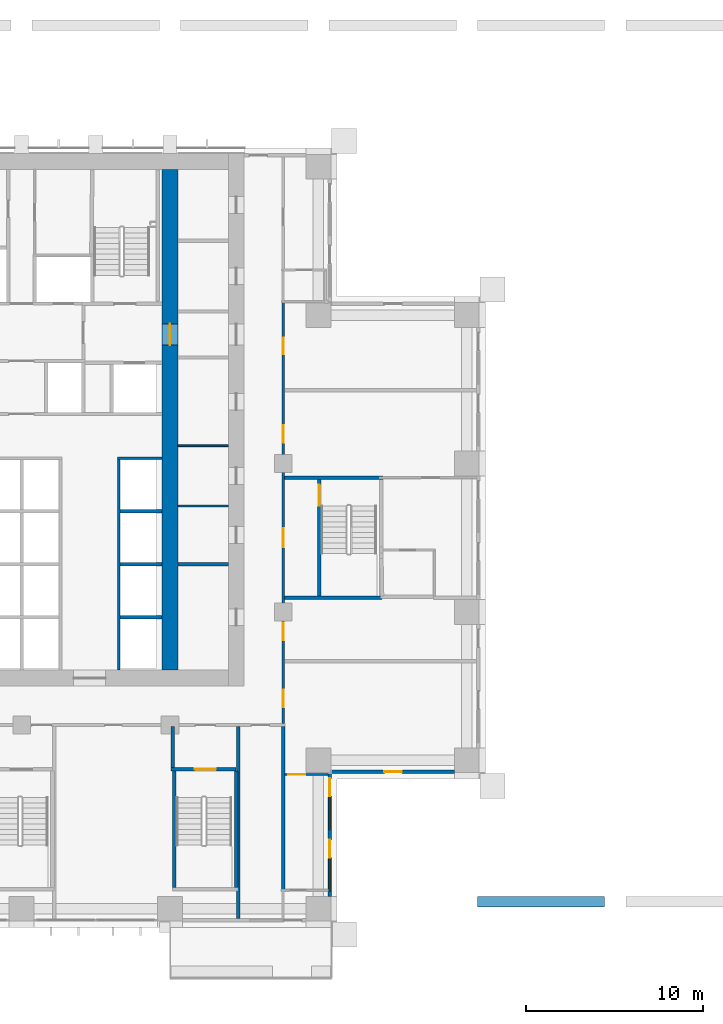
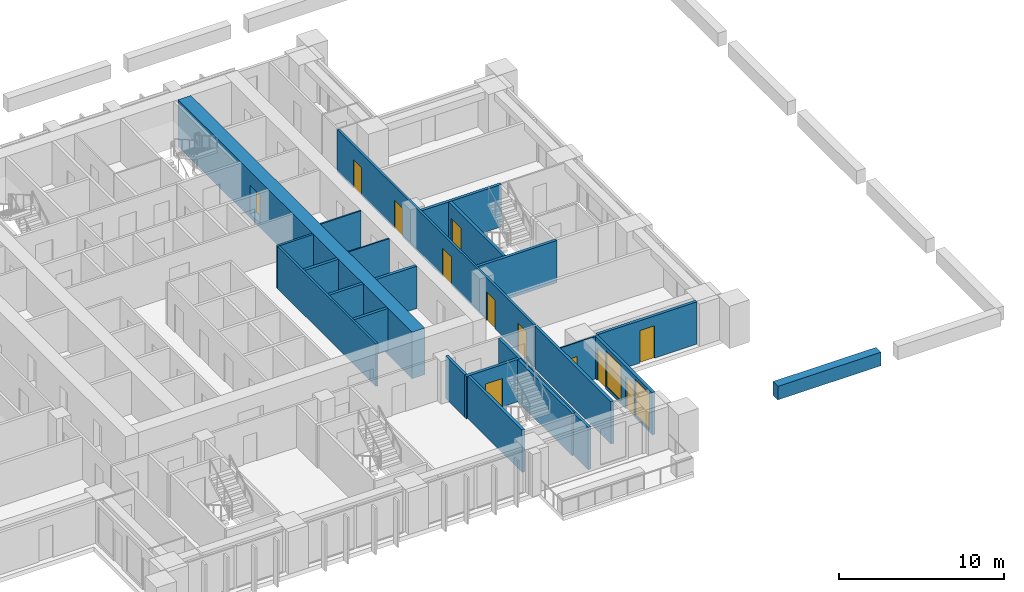
# One storey, part 10 of 18: 23 walls, 12 doors, 2 windows, 14 openings.
"""IFC4 building model written with IfcOpenShell, lengths in metres."""

from ifc_helpers import new_model, si_unit, direction, frame, frame_2d, origin, place, context, subcontext, project, spatial, rectangle, extrude, material, layer, layer_set, type_object, element, fill, save


model = new_model("IFC4")

# Units and contexts
model_context = context("Model", 3, precision=1e-05, world=origin(), true_north=direction((0.0, 1.0)))
body_context = subcontext(model_context, "Body", "Model", "MODEL_VIEW")
ifc_project = project(units=[si_unit("LENGTHUNIT", "METRE"), si_unit("AREAUNIT", "SQUARE_METRE"), si_unit("VOLUMEUNIT", "CUBIC_METRE"), si_unit("PLANEANGLEUNIT", "RADIAN"), si_unit("MASSUNIT", "GRAM", prefix="KILO")], contexts=[model_context])

# Site, building, storey
site_placement = place(None, origin())
site = spatial("IfcSite", under=ifc_project, at=site_placement, CompositionType="ELEMENT")
building_placement = place(site_placement, origin())
building = spatial("IfcBuilding", under=site, at=building_placement, Name="Vermilion Ogive Tower", CompositionType="ELEMENT")
storey_placement = place(building_placement, frame((0.0, 0.0, 34.5)))
storey = spatial("IfcBuildingStorey", under=building, at=storey_placement, Name="L06", CompositionType="ELEMENT", Elevation=34.5)

# Wall, opening, door
ifc_material_1 = material(Name="Concrete B80", Category="concrete")
ifc_layer_1 = layer(ifc_material_1, 0.89990234375)
ifc_layer_set_1 = layer_set([ifc_layer_1], Name="Core wall 900 B80")
wall_type_1 = type_object("IfcWallType", Name="Core wall 900 B80", PredefinedType="SHEAR", material=ifc_layer_set_1)
wall_1_placement = place(storey_placement, frame((8.39990234375, -7.5, -0.320068359375), z_axis=(0.0, 0.0, 1.0), x_axis=(0.0, 1.0, 0.0)))
wall_1 = element("IfcWall", 1, at=wall_1_placement, inside=storey, type_object=wall_type_1, Name="L06-CORE-WEB2", PredefinedType="SHEAR", context=body_context, shape_type="SweptSolid", body=[
    extrude(rectangle(XDim=28.35009765625, YDim=0.89990234375, at=frame_2d((14.175048828125, 0.0))), origin(), (0.0, 0.0, 1.0), 3.449951171875),
])
opening_1_placement = place(wall_1_placement, frame((18.39990234375, 0.0, 0.320068359375)))
opening_1 = element("IfcOpeningElement", 2, at=opening_1_placement, cuts=wall_1, Name="Opening DAO001", PredefinedType="OPENING", context=body_context, shape_type="SweptSolid", body=[
    extrude(rectangle(XDim=1.199951171875, YDim=2.10009765625, at=frame_2d((0.60009765625, 1.050048828125))), frame((0.0, 0.4599609375, 0.0), z_axis=(0.0, -1.0, 0.0), x_axis=(1.0, 0.0, 0.0)), (0.0, 0.0, 1.0), 0.919921875),
])
ifc_material_2 = material(Name="Timber door leaf", Category="wood")
door_type_1 = type_object("IfcDoorType", Name="Link door 1200 x 2100 FD60S", OperationType="SINGLE_SWING_LEFT", PredefinedType="DOOR", material=ifc_material_2)
door_1_placement = place(opening_1_placement, origin())
door_1 = element("IfcDoor", 3, at=door_1_placement, inside=storey, type_object=door_type_1, Name="L06-CKE-XW", OperationType="SINGLE_SWING_LEFT", OverallHeight=2.10009765625, OverallWidth=1.199951171875, PredefinedType="DOOR", context=body_context, shape_type="SweptSolid", body=[
    extrude(rectangle(XDim=1.199951171875, YDim=2.10009765625, at=frame_2d((0.60009765625, 1.050048828125))), frame((0.0, 0.02490234375, 0.0), z_axis=(0.0, -1.0, 0.0), x_axis=(1.0, 0.0, 0.0)), (0.0, 0.0, 1.0), 0.050048828125),
])
fill(opening_1, door_1)

# Walls
ifc_material_3 = material(Name="Gypsum board partition on steel studs", Category="steel")
ifc_layer_2 = layer(ifc_material_3, 0.10009765625)
ifc_layer_set_2 = layer_set([ifc_layer_2], Name="Partition 100 bath")
wall_type_2 = type_object("IfcWallType", Name="Partition 100 bath", PredefinedType="PARTITIONING", material=ifc_layer_set_2)
for number, where, z_axis, x_axis, name in (
    (4, (8.85107421875, 1.800048828125, 0.0), (0.0, 0.0, 1.0), (1.0, 0.0, 0.0), "L06-CKE-W-W002"),
    (5, (8.85107421875, 5.199951171875, 0.0), (0.0, 0.0, 1.0), (1.0, 0.0, 0.0), "L06-CKE-W-W003"),
):
    element("IfcWall", number, at=place(storey_placement, frame(where, z_axis=z_axis, x_axis=x_axis)), inside=storey, type_object=wall_type_2, Name=name, PredefinedType="PARTITIONING", context=body_context, shape_type="SweptSolid", body=[
        extrude(rectangle(XDim=2.847900390625, YDim=0.10009765625, at=frame_2d((1.423828125, 0.0))), origin(), (0.0, 0.0, 1.0), 3.1298828125),
    ])

# Wall, opening, door
ifc_material_4 = material(Name="Gypsum board partition on steel studs", Category="steel")
ifc_layer_3 = layer(ifc_material_4, 0.10009765625)
ifc_layer_set_3 = layer_set([ifc_layer_3], Name="Partition 100 inner")
wall_type_3 = type_object("IfcWallType", Name="Partition 100 inner", PredefinedType="PARTITIONING", material=ifc_layer_set_3)
wall_2_placement = place(storey_placement, frame((14.89990234375, -13.39990234375, 0.0), z_axis=(0.0, 0.0, 1.0), x_axis=(1.0, 0.0, 0.0)))
wall_2 = element("IfcWall", 6, at=wall_2_placement, inside=storey, type_object=wall_type_3, Name="L06-W-W007", PredefinedType="PARTITIONING", context=body_context, shape_type="SweptSolid", body=[
    extrude(rectangle(XDim=2.4501953125, YDim=0.10009765625, at=frame_2d((1.22509765625, 0.0))), origin(), (0.0, 0.0, 1.0), 3.1298828125),
])
opening_2_placement = place(wall_2_placement, frame((0.2001953125, 0.0, 0.0)))
opening_2 = element("IfcOpeningElement", 7, at=opening_2_placement, cuts=wall_2, Name="Opening D1G1015", PredefinedType="OPENING", context=body_context, shape_type="SweptSolid", body=[
    extrude(rectangle(XDim=0.949951171875, YDim=2.10009765625, at=frame_2d((0.47509765625, 1.050048828125))), frame((0.0, 0.06005859375, 0.0), z_axis=(0.0, -1.0, 0.0), x_axis=(1.0, 0.0, 0.0)), (0.0, 0.0, 1.0), 0.1201171875),
])
ifc_material_5 = material(Name="Timber door leaf", Category="wood")
door_type_2 = type_object("IfcDoorType", Name="Inner door 950 x 2100 FD30", OperationType="SINGLE_SWING_LEFT", PredefinedType="DOOR", material=ifc_material_5)
door_2_placement = place(opening_2_placement, origin())
door_2 = element("IfcDoor", 8, at=door_2_placement, inside=storey, type_object=door_type_2, Name="L06-D-D015", OperationType="SINGLE_SWING_RIGHT", OverallHeight=2.10009765625, OverallWidth=0.949951171875, PredefinedType="DOOR", context=body_context, shape_type="SweptSolid", body=[
    extrude(rectangle(XDim=0.949951171875, YDim=2.10009765625, at=frame_2d((0.47509765625, 1.050048828125))), frame((0.0, 0.02490234375, 0.0), z_axis=(0.0, -1.0, 0.0), x_axis=(1.0, 0.0, 0.0)), (0.0, 0.0, 1.0), 0.050048828125),
])
fill(opening_2, door_2)

# Wall, openings, doors
ifc_material_6 = material(Name="Gypsum board partition on steel studs", Category="steel")
ifc_layer_4 = layer(ifc_material_6, 0.14990234375)
ifc_layer_set_4 = layer_set([ifc_layer_4], Name="Partition 150 corridor")
wall_type_4 = type_object("IfcWallType", Name="Partition 150 corridor", PredefinedType="PARTITIONING", material=ifc_layer_set_4)
wall_3_placement = place(storey_placement, frame((14.800048828125, -10.52490234375, 0.0), z_axis=(0.0, 0.0, 1.0), x_axis=(0.0, 1.0, 0.0)))
wall_3 = element("IfcWall", 9, at=wall_3_placement, inside=storey, type_object=wall_type_4, Name="L06-W-W059", PredefinedType="PARTITIONING", context=body_context, shape_type="SweptSolid", body=[
    extrude(rectangle(XDim=23.824951171875, YDim=0.14990234375, at=frame_2d((11.91259765625, 0.0))), origin(), (0.0, 0.0, 1.0), 3.1298828125),
])
opening_3_placement = place(wall_3_placement, frame((0.9248046875, 0.0, 0.0)))
opening_3 = element("IfcOpeningElement", 10, at=opening_3_placement, cuts=wall_3, Name="Opening D1G1014", PredefinedType="OPENING", context=body_context, shape_type="SweptSolid", body=[
    extrude(rectangle(XDim=1.0, YDim=2.10009765625, at=frame_2d((0.5, 1.050048828125))), frame((0.0, 0.0849609375, 0.0), z_axis=(0.0, -1.0, 0.0), x_axis=(1.0, 0.0, 0.0)), (0.0, 0.0, 1.0), 0.169921875),
])
opening_4_placement = place(wall_3_placement, frame((15.89990234375, 0.0, 0.0)))
opening_4 = element("IfcOpeningElement", 11, at=opening_4_placement, cuts=wall_3, Name="Opening D1G1017", PredefinedType="OPENING", context=body_context, shape_type="SweptSolid", body=[
    extrude(rectangle(XDim=1.0, YDim=2.10009765625, at=frame_2d((0.5, 1.050048828125))), frame((0.0, 0.0849609375, 0.0), z_axis=(0.0, -1.0, 0.0), x_axis=(1.0, 0.0, 0.0)), (0.0, 0.0, 1.0), 0.169921875),
])
opening_5_placement = place(wall_3_placement, frame((20.89990234375, 0.0, 0.0)))
opening_5 = element("IfcOpeningElement", 12, at=opening_5_placement, cuts=wall_3, Name="Opening D1G1020", PredefinedType="OPENING", context=body_context, shape_type="SweptSolid", body=[
    extrude(rectangle(XDim=0.949951171875, YDim=2.10009765625, at=frame_2d((0.47509765625, 1.050048828125))), frame((0.0, 0.0849609375, 0.0), z_axis=(0.0, -1.0, 0.0), x_axis=(1.0, 0.0, 0.0)), (0.0, 0.0, 1.0), 0.169921875),
])
opening_6_placement = place(wall_3_placement, frame((9.974853515625, 0.0, 0.0)))
opening_6 = element("IfcOpeningElement", 13, at=opening_6_placement, cuts=wall_3, Name="Opening D1G1029", PredefinedType="OPENING", context=body_context, shape_type="SweptSolid", body=[
    extrude(rectangle(XDim=1.10009765625, YDim=2.10009765625, at=frame_2d((0.550048828125, 1.050048828125))), frame((0.0, 0.0849609375, 0.0), z_axis=(0.0, -1.0, 0.0), x_axis=(1.0, 0.0, 0.0)), (0.0, 0.0, 1.0), 0.169921875),
])
opening_7_placement = place(wall_3_placement, frame((4.724853515625, 0.0, 0.0)))
opening_7 = element("IfcOpeningElement", 14, at=opening_7_placement, cuts=wall_3, Name="Opening D1G1036", PredefinedType="OPENING", context=body_context, shape_type="SweptSolid", body=[
    extrude(rectangle(XDim=1.0, YDim=2.10009765625, at=frame_2d((0.5, 1.050048828125))), frame((0.0, 0.0849609375, 0.0), z_axis=(0.0, -1.0, 0.0), x_axis=(1.0, 0.0, 0.0)), (0.0, 0.0, 1.0), 0.169921875),
])
ifc_material_7 = material(Name="Timber door leaf", Category="wood")
door_type_3 = type_object("IfcDoorType", Name="Stair door 1100 x 2100 FD60S", OperationType="SINGLE_SWING_LEFT", PredefinedType="DOOR", material=ifc_material_7)
door_3_placement = place(opening_6_placement, origin())
door_3 = element("IfcDoor", 15, at=door_3_placement, inside=storey, type_object=door_type_3, Name="L06-D-D029", OperationType="SINGLE_SWING_LEFT", OverallHeight=2.10009765625, OverallWidth=1.10009765625, PredefinedType="DOOR", context=body_context, shape_type="SweptSolid", body=[
    extrude(rectangle(XDim=1.10009765625, YDim=2.10009765625, at=frame_2d((0.550048828125, 1.050048828125))), frame((0.0, 0.02490234375, 0.0), z_axis=(0.0, -1.0, 0.0), x_axis=(1.0, 0.0, 0.0)), (0.0, 0.0, 1.0), 0.050048828125),
])
fill(opening_6, door_3)
ifc_material_8 = material(Name="Timber door leaf", Category="wood")
door_type_4 = type_object("IfcDoorType", Name="Unit door 1000 x 2100 FD30S", OperationType="SINGLE_SWING_LEFT", PredefinedType="DOOR", material=ifc_material_8)
door_4_placement = place(opening_3_placement, origin())
door_4 = element("IfcDoor", 16, at=door_4_placement, inside=storey, type_object=door_type_4, Name="L06-D-D014", OperationType="SINGLE_SWING_RIGHT", OverallHeight=2.10009765625, OverallWidth=1.0, PredefinedType="DOOR", context=body_context, shape_type="SweptSolid", body=[
    extrude(rectangle(XDim=1.0, YDim=2.10009765625, at=frame_2d((0.5, 1.050048828125))), frame((0.0, 0.02490234375, 0.0), z_axis=(0.0, -1.0, 0.0), x_axis=(1.0, 0.0, 0.0)), (0.0, 0.0, 1.0), 0.050048828125),
])
fill(opening_3, door_4)
door_5_placement = place(opening_4_placement, origin())
door_5 = element("IfcDoor", 17, at=door_5_placement, inside=storey, type_object=door_type_4, Name="L06-D-D017", OperationType="SINGLE_SWING_LEFT", OverallHeight=2.10009765625, OverallWidth=1.0, PredefinedType="DOOR", context=body_context, shape_type="SweptSolid", body=[
    extrude(rectangle(XDim=1.0, YDim=2.10009765625, at=frame_2d((0.5, 1.050048828125))), frame((0.0, 0.02490234375, 0.0), z_axis=(0.0, -1.0, 0.0), x_axis=(1.0, 0.0, 0.0)), (0.0, 0.0, 1.0), 0.050048828125),
])
fill(opening_4, door_5)
door_6_placement = place(opening_7_placement, origin())
door_6 = element("IfcDoor", 18, at=door_6_placement, inside=storey, type_object=door_type_4, Name="L06-D-D036", OperationType="SINGLE_SWING_RIGHT", OverallHeight=2.10009765625, OverallWidth=1.0, PredefinedType="DOOR", context=body_context, shape_type="SweptSolid", body=[
    extrude(rectangle(XDim=1.0, YDim=2.10009765625, at=frame_2d((0.5, 1.050048828125))), frame((0.0, 0.02490234375, 0.0), z_axis=(0.0, -1.0, 0.0), x_axis=(1.0, 0.0, 0.0)), (0.0, 0.0, 1.0), 0.050048828125),
])
fill(opening_7, door_6)
ifc_material_9 = material(Name="Timber door leaf", Category="wood")
door_type_5 = type_object("IfcDoorType", Name="Unit door 950 x 2100 FD30S", OperationType="SINGLE_SWING_LEFT", PredefinedType="DOOR", material=ifc_material_9)
door_7_placement = place(opening_5_placement, origin())
door_7 = element("IfcDoor", 19, at=door_7_placement, inside=storey, type_object=door_type_5, Name="L06-D-D020", OperationType="SINGLE_SWING_LEFT", OverallHeight=2.10009765625, OverallWidth=0.949951171875, PredefinedType="DOOR", context=body_context, shape_type="SweptSolid", body=[
    extrude(rectangle(XDim=0.949951171875, YDim=2.10009765625, at=frame_2d((0.47509765625, 1.050048828125))), frame((0.0, 0.02490234375, 0.0), z_axis=(0.0, -1.0, 0.0), x_axis=(1.0, 0.0, 0.0)), (0.0, 0.0, 1.0), 0.050048828125),
])
fill(opening_5, door_7)

# Walls
wall_4_placement = place(storey_placement, frame((5.425048828125, 4.5, 0.0), z_axis=(0.0, 0.0, 1.0), x_axis=(1.0, 0.0, 0.0)))
element("IfcWall", 20, at=wall_4_placement, inside=storey, type_object=wall_type_4, Name="L06-CK-W-W012", PredefinedType="PARTITIONING", context=body_context, shape_type="SweptSolid", body=[
    extrude(rectangle(XDim=2.52392578125, YDim=0.14990234375, at=frame_2d((1.261962890625, 0.0))), origin(), (0.0, 0.0, 1.0), 3.1298828125),
])
wall_5_placement = place(storey_placement, frame((5.5, -7.4990234375, 0.0), z_axis=(0.0, 0.0, 1.0), x_axis=(0.0, 1.0, 0.0)))
element("IfcWall", 21, at=wall_5_placement, inside=storey, type_object=wall_type_4, Name="L06-CK-W-W040", PredefinedType="PARTITIONING", context=body_context, shape_type="SweptSolid", body=[
    extrude(rectangle(XDim=11.924072265625, YDim=0.14990234375, at=frame_2d((5.9619140625, 0.0))), origin(), (0.0, 0.0, 1.0), 3.1298828125),
])
ifc_material_10 = material(Name="Gypsum board partition on steel studs", Category="steel")
ifc_layer_5 = layer(ifc_material_10, 0.199951171875)
ifc_layer_set_5 = layer_set([ifc_layer_5], Name="Partition 200 party")
wall_type_5 = type_object("IfcWallType", Name="Partition 200 party", PredefinedType="PARTITIONING", material=ifc_layer_set_5)
wall_6_placement = place(storey_placement, frame((8.550048828125, -12.998046875, 0.0), z_axis=(0.0, 0.0, 1.0), x_axis=(0.0, 1.0, 0.0)))
element("IfcWall", 22, at=wall_6_placement, inside=storey, type_object=wall_type_5, Name="L06-W-W053", PredefinedType="PARTITIONING", context=body_context, shape_type="SweptSolid", body=[
    extrude(rectangle(XDim=2.322998046875, YDim=0.199951171875, at=frame_2d((1.16162109375, 0.0))), origin(), (0.0, 0.0, 1.0), 3.1298828125),
])
wall_7_placement = place(storey_placement, frame((14.800048828125, -19.89990234375, 0.0), z_axis=(0.0, 0.0, 1.0), x_axis=(0.0, 1.0, 0.0)))
element("IfcWall", 23, at=wall_7_placement, inside=storey, type_object=wall_type_5, Name="L06-W-W058", PredefinedType="PARTITIONING", context=body_context, shape_type="SweptSolid", body=[
    extrude(rectangle(XDim=9.224853515625, YDim=0.199951171875, at=frame_2d((4.6123046875, 0.0))), origin(), (0.0, 0.0, 1.0), 3.1298828125),
])
for number, where, z_axis, x_axis, name in (
    (24, (5.574951171875, -4.5, 0.0), (0.0, 0.0, 1.0), (1.0, 0.0, 0.0), "L06-CK-W-W003"),
    (25, (5.574951171875, -1.5, 0.0), (0.0, 0.0, 1.0), (1.0, 0.0, 0.0), "L06-CK-W-W006"),
    (26, (5.574951171875, 1.5, 0.0), (0.0, 0.0, 1.0), (1.0, 0.0, 0.0), "L06-CK-W-W009"),
):
    element("IfcWall", number, at=place(storey_placement, frame(where, z_axis=z_axis, x_axis=x_axis)), inside=storey, type_object=wall_type_5, Name=name, PredefinedType="PARTITIONING", context=body_context, shape_type="SweptSolid", body=[
        extrude(rectangle(XDim=2.3740234375, YDim=0.199951171875, at=frame_2d((1.18701171875, 0.0))), origin(), (0.0, 0.0, 1.0), 3.1298828125),
    ])
wall_8_placement = place(storey_placement, frame((8.85107421875, -1.5, 0.0), z_axis=(0.0, 0.0, 1.0), x_axis=(1.0, 0.0, 0.0)))
element("IfcWall", 27, at=wall_8_placement, inside=storey, type_object=wall_type_5, Name="L06-CKE-W-W001", PredefinedType="PARTITIONING", context=body_context, shape_type="SweptSolid", body=[
    extrude(rectangle(XDim=2.847900390625, YDim=0.199951171875, at=frame_2d((1.423828125, 0.0))), origin(), (0.0, 0.0, 1.0), 3.1298828125),
])

# Wall, opening, door
ifc_material_11 = material(Name="Concrete B60", Category="concrete")
ifc_layer_6 = layer(ifc_material_11, 0.199951171875)
ifc_layer_set_6 = layer_set([ifc_layer_6], Name="Stair shaft wall 200 Concrete B60")
wall_type_6 = type_object("IfcWallType", Name="Stair shaft wall 200 Concrete B60", PredefinedType="SOLIDWALL", material=ifc_layer_set_6)
wall_9_placement = place(storey_placement, frame((8.451904296875, -13.10009765625, 0.0), z_axis=(0.0, 0.0, 1.0), x_axis=(1.0, 0.0, 0.0)))
wall_9 = element("IfcWall", 28, at=wall_9_placement, inside=storey, type_object=wall_type_6, Name="L06-W-W010", PredefinedType="SOLIDWALL", context=body_context, shape_type="SweptSolid", body=[
    extrude(rectangle(XDim=3.696044921875, YDim=0.199951171875, at=frame_2d((1.84814453125, 0.0))), origin(), (0.0, 0.0, 1.0), 3.1298828125),
])
opening_8_placement = place(wall_9_placement, frame((1.34814453125, 0.0, 0.0)))
opening_8 = element("IfcOpeningElement", 29, at=opening_8_placement, cuts=wall_9, Name="Opening D1G1028", PredefinedType="OPENING", context=body_context, shape_type="SweptSolid", body=[
    extrude(rectangle(XDim=1.199951171875, YDim=2.10009765625, at=frame_2d((0.60009765625, 1.050048828125))), frame((0.0, 0.10986328125, 0.0), z_axis=(0.0, -1.0, 0.0), x_axis=(1.0, 0.0, 0.0)), (0.0, 0.0, 1.0), 0.219970703125),
])
ifc_material_12 = material(Name="Timber door leaf", Category="wood")
door_type_6 = type_object("IfcDoorType", Name="Stair door 1200 x 2100 FD60S", OperationType="SINGLE_SWING_LEFT", PredefinedType="DOOR", material=ifc_material_12)
door_8_placement = place(opening_8_placement, origin())
door_8 = element("IfcDoor", 30, at=door_8_placement, inside=storey, type_object=door_type_6, Name="L06-D-D028", OperationType="SINGLE_SWING_RIGHT", OverallHeight=2.10009765625, OverallWidth=1.199951171875, PredefinedType="DOOR", context=body_context, shape_type="SweptSolid", body=[
    extrude(rectangle(XDim=1.199951171875, YDim=2.10009765625, at=frame_2d((0.60009765625, 1.050048828125))), frame((0.0, 0.02490234375, 0.0), z_axis=(0.0, -1.0, 0.0), x_axis=(1.0, 0.0, 0.0)), (0.0, 0.0, 1.0), 0.050048828125),
])
fill(opening_8, door_8)

# Walls
wall_10_placement = place(storey_placement, frame((14.875, -3.39990234375, 0.0), z_axis=(0.0, 0.0, 1.0), x_axis=(1.0, 0.0, 0.0)))
element("IfcWall", 31, at=wall_10_placement, inside=storey, type_object=wall_type_6, Name="L06-W-W016", PredefinedType="SOLIDWALL", context=body_context, shape_type="SweptSolid", body=[
    extrude(rectangle(XDim=5.52490234375, YDim=0.199951171875, at=frame_2d((2.762451171875, 0.0))), origin(), (0.0, 0.0, 1.0), 3.1298828125),
])
wall_11_placement = place(storey_placement, frame((14.875, 3.39990234375, 0.0), z_axis=(0.0, 0.0, 1.0), x_axis=(1.0, 0.0, 0.0)))
element("IfcWall", 32, at=wall_11_placement, inside=storey, type_object=wall_type_6, Name="L06-W-W023", PredefinedType="SOLIDWALL", context=body_context, shape_type="SweptSolid", body=[
    extrude(rectangle(XDim=5.574951171875, YDim=0.199951171875, at=frame_2d((2.78759765625, 0.0))), origin(), (0.0, 0.0, 1.0), 3.1298828125),
])
for number, where, z_axis, x_axis, name in (
    (33, (8.64990234375, -19.798095703125, 0.0), (0.0, 0.0, 1.0), (0.0, 1.0, 0.0), "L06-W-W054"),
    (34, (12.14990234375, -19.798095703125, 0.0), (0.0, 0.0, 1.0), (0.0, 1.0, 0.0), "L06-W-W055"),
):
    element("IfcWall", number, at=place(storey_placement, frame(where, z_axis=z_axis, x_axis=x_axis)), inside=storey, type_object=wall_type_6, Name=name, PredefinedType="SOLIDWALL", context=body_context, shape_type="SweptSolid", body=[
        extrude(rectangle(XDim=6.59619140625, YDim=0.199951171875, at=frame_2d((3.298095703125, 0.0))), origin(), (0.0, 0.0, 1.0), 3.1298828125),
    ])

# Wall, opening, door
wall_12_placement = place(storey_placement, frame((16.85009765625, -3.300048828125, 0.0), z_axis=(0.0, 0.0, 1.0), x_axis=(0.0, 1.0, 0.0)))
wall_12 = element("IfcWall", 35, at=wall_12_placement, inside=storey, type_object=wall_type_6, Name="L06-W-W062", PredefinedType="SOLIDWALL", context=body_context, shape_type="SweptSolid", body=[
    extrude(rectangle(XDim=6.60009765625, YDim=0.199951171875, at=frame_2d((3.300048828125, 0.0))), origin(), (0.0, 0.0, 1.0), 3.1298828125),
])
opening_9_placement = place(wall_12_placement, frame((5.10009765625, 0.0, 0.0)))
opening_9 = element("IfcOpeningElement", 36, at=opening_9_placement, cuts=wall_12, Name="Opening D1G1030", PredefinedType="OPENING", context=body_context, shape_type="SweptSolid", body=[
    extrude(rectangle(XDim=1.199951171875, YDim=2.10009765625, at=frame_2d((0.60009765625, 1.050048828125))), frame((0.0, 0.10986328125, 0.0), z_axis=(0.0, -1.0, 0.0), x_axis=(1.0, 0.0, 0.0)), (0.0, 0.0, 1.0), 0.219970703125),
])
door_9_placement = place(opening_9_placement, origin())
door_9 = element("IfcDoor", 37, at=door_9_placement, inside=storey, type_object=door_type_6, Name="L06-D-D030", OperationType="SINGLE_SWING_LEFT", OverallHeight=2.10009765625, OverallWidth=1.199951171875, PredefinedType="DOOR", context=body_context, shape_type="SweptSolid", body=[
    extrude(rectangle(XDim=1.199951171875, YDim=2.10009765625, at=frame_2d((0.60009765625, 1.050048828125))), frame((0.0, 0.02490234375, 0.0), z_axis=(0.0, -1.0, 0.0), x_axis=(1.0, 0.0, 0.0)), (0.0, 0.0, 1.0), 0.050048828125),
])
fill(opening_9, door_9)

# Walls
wall_13_placement = place(storey_placement, frame((12.25, -21.550048828125, 0.0), z_axis=(0.0, 0.0, 1.0), x_axis=(0.0, 1.0, 0.0)))
element("IfcWall", 38, at=wall_13_placement, inside=storey, type_object=wall_type_6, Name="L06-W-W056-A-A", PredefinedType="SOLIDWALL", context=body_context, shape_type="SweptSolid", body=[
    extrude(rectangle(XDim=10.875, YDim=0.199951171875, at=frame_2d((5.4375, 0.0))), origin(), (0.0, 0.0, 1.0), 3.1298828125),
])
ifc_material_13 = material(Name="Concrete B40", Category="concrete")
ifc_layer_7 = layer(ifc_material_13, 0.60009765625)
ifc_layer_set_7 = layer_set([ifc_layer_7], Name="Terrace planter")
wall_type_7 = type_object("IfcWallType", Name="Terrace planter", PredefinedType="USERDEFINED", material=ifc_layer_set_7)
wall_14_placement = place(storey_placement, frame((33.0, -20.60009765625, 0.0), z_axis=(0.0, 0.0, 1.0), x_axis=(-1.0, 0.0, 0.0)))
element("IfcWall", 39, at=wall_14_placement, inside=storey, type_object=wall_type_7, Name="Terrace planter 2.1.17", ObjectType="PLANTER", PredefinedType="USERDEFINED", context=body_context, shape_type="SweptSolid", body=[
    extrude(rectangle(XDim=7.199951171875, YDim=0.60009765625, at=frame_2d((3.60009765625, 0.0))), origin(), (0.0, 0.0, 1.0), 1.0),
])

# Wall, openings, doors, windows
ifc_material_14 = material(Name="Aluminium window wall framing", Category="aluminium")
ifc_layer_8 = layer(ifc_material_14, 0.199951171875)
ifc_layer_set_8 = layer_set([ifc_layer_8], Name="Window wall")
wall_type_8 = type_object("IfcWallType", Name="Window wall", PredefinedType="STANDARD", material=ifc_layer_set_8)
wall_15_placement = place(storey_placement, frame((17.449951171875, -20.300048828125, 0.0), z_axis=(0.0, 0.0, 1.0), x_axis=(0.0, 1.0, 0.0)))
wall_15 = element("IfcWall", 40, at=wall_15_placement, inside=storey, type_object=wall_type_8, Name="Window wall X11", PredefinedType="STANDARD", context=body_context, shape_type="SweptSolid", body=[
    extrude(rectangle(XDim=6.949951171875, YDim=0.199951171875, at=frame_2d((3.47509765625, 0.0))), origin(), (0.0, 0.0, 1.0), 3.1298828125),
])
opening_10_placement = place(wall_15_placement, frame((0.300048828125, 0.0, 0.199951171875)))
opening_10 = element("IfcOpeningElement", 41, at=opening_10_placement, cuts=wall_15, Name="Opening W1-X195", PredefinedType="OPENING", context=body_context, shape_type="SweptSolid", body=[
    extrude(rectangle(XDim=1.800048828125, YDim=2.64990234375, at=frame_2d((0.89990234375, 1.324951171875))), frame((0.0, 0.10986328125, 0.0), z_axis=(0.0, -1.0, 0.0), x_axis=(1.0, 0.0, 0.0)), (0.0, 0.0, 1.0), 0.219970703125),
])
opening_11_placement = place(wall_15_placement, frame((2.199951171875, 0.0, 0.0)))
opening_11 = element("IfcOpeningElement", 42, at=opening_11_placement, cuts=wall_15, Name="Opening D1-X195", PredefinedType="OPENING", context=body_context, shape_type="SweptSolid", body=[
    extrude(rectangle(XDim=1.0, YDim=2.39990234375, at=frame_2d((0.5, 1.199951171875))), frame((0.0, 0.10986328125, 0.0), z_axis=(0.0, -1.0, 0.0), x_axis=(1.0, 0.0, 0.0)), (0.0, 0.0, 1.0), 0.219970703125),
])
opening_12_placement = place(wall_15_placement, frame((3.77490234375, 0.0, 0.199951171875)))
opening_12 = element("IfcOpeningElement", 43, at=opening_12_placement, cuts=wall_15, Name="Opening W1-X196", PredefinedType="OPENING", context=body_context, shape_type="SweptSolid", body=[
    extrude(rectangle(XDim=1.800048828125, YDim=2.64990234375, at=frame_2d((0.89990234375, 1.324951171875))), frame((0.0, 0.10986328125, 0.0), z_axis=(0.0, -1.0, 0.0), x_axis=(1.0, 0.0, 0.0)), (0.0, 0.0, 1.0), 0.219970703125),
])
opening_13_placement = place(wall_15_placement, frame((5.675048828125, 0.0, 0.0)))
opening_13 = element("IfcOpeningElement", 44, at=opening_13_placement, cuts=wall_15, Name="Opening D1-X196", PredefinedType="OPENING", context=body_context, shape_type="SweptSolid", body=[
    extrude(rectangle(XDim=1.0, YDim=2.39990234375, at=frame_2d((0.5, 1.199951171875))), frame((0.0, 0.10986328125, 0.0), z_axis=(0.0, -1.0, 0.0), x_axis=(1.0, 0.0, 0.0)), (0.0, 0.0, 1.0), 0.219970703125),
])
ifc_material_15 = material(Name="Aluminium framed glazed door", Category="aluminium")
door_type_7 = type_object("IfcDoorType", Name="Balcony door D1", OperationType="SINGLE_SWING_LEFT", PredefinedType="DOOR", material=ifc_material_15)
door_10_placement = place(opening_11_placement, origin())
door_10 = element("IfcDoor", 45, at=door_10_placement, inside=storey, type_object=door_type_7, Name="Balcony door X195", OperationType="SINGLE_SWING_LEFT", OverallHeight=2.39990234375, OverallWidth=1.0, PredefinedType="DOOR", context=body_context, shape_type="SweptSolid", body=[
    extrude(rectangle(XDim=1.0, YDim=2.39990234375, at=frame_2d((0.5, 1.199951171875))), frame((0.0, 0.02490234375, 0.0), z_axis=(0.0, -1.0, 0.0), x_axis=(1.0, 0.0, 0.0)), (0.0, 0.0, 1.0), 0.050048828125),
])
fill(opening_11, door_10)
door_11_placement = place(opening_13_placement, origin())
door_11 = element("IfcDoor", 46, at=door_11_placement, inside=storey, type_object=door_type_7, Name="Balcony door X196", OperationType="SINGLE_SWING_LEFT", OverallHeight=2.39990234375, OverallWidth=1.0, PredefinedType="DOOR", context=body_context, shape_type="SweptSolid", body=[
    extrude(rectangle(XDim=1.0, YDim=2.39990234375, at=frame_2d((0.5, 1.199951171875))), frame((0.0, 0.02490234375, 0.0), z_axis=(0.0, -1.0, 0.0), x_axis=(1.0, 0.0, 0.0)), (0.0, 0.0, 1.0), 0.050048828125),
])
fill(opening_13, door_11)
ifc_material_16 = material(Name="Aluminium framed double glazing", Category="aluminium")
window_type = type_object("IfcWindowType", Name="Guest window W1", PartitioningType="SINGLE_PANEL", PredefinedType="WINDOW", material=ifc_material_16)
window_1_placement = place(opening_10_placement, origin())
window_1 = element("IfcWindow", 47, at=window_1_placement, inside=storey, type_object=window_type, Name="Window X195", OverallHeight=2.64990234375, OverallWidth=1.800048828125, PartitioningType="SINGLE_PANEL", PredefinedType="WINDOW", context=body_context, shape_type="SweptSolid", body=[
    extrude(rectangle(XDim=1.800048828125, YDim=2.64990234375, at=frame_2d((0.89990234375, 1.324951171875))), frame((0.0, 0.030029296875, 0.0), z_axis=(0.0, -1.0, 0.0), x_axis=(1.0, 0.0, 0.0)), (0.0, 0.0, 1.0), 0.06005859375),
])
fill(opening_10, window_1)
window_2_placement = place(opening_12_placement, origin())
window_2 = element("IfcWindow", 48, at=window_2_placement, inside=storey, type_object=window_type, Name="Window X196", OverallHeight=2.64990234375, OverallWidth=1.800048828125, PartitioningType="SINGLE_PANEL", PredefinedType="WINDOW", context=body_context, shape_type="SweptSolid", body=[
    extrude(rectangle(XDim=1.800048828125, YDim=2.64990234375, at=frame_2d((0.89990234375, 1.324951171875))), frame((0.0, 0.030029296875, 0.0), z_axis=(0.0, -1.0, 0.0), x_axis=(1.0, 0.0, 0.0)), (0.0, 0.0, 1.0), 0.06005859375),
])
fill(opening_12, window_2)

# Wall, opening, door
wall_16_placement = place(storey_placement, frame((17.550048828125, -13.25, 0.0), z_axis=(0.0, 0.0, 1.0), x_axis=(1.0, 0.0, 0.0)))
wall_16 = element("IfcWall", 49, at=wall_16_placement, inside=storey, type_object=wall_type_8, Name="Window wall X21", PredefinedType="STANDARD", context=body_context, shape_type="SweptSolid", body=[
    extrude(rectangle(XDim=6.949951171875, YDim=0.199951171875, at=frame_2d((3.47509765625, 0.0))), origin(), (0.0, 0.0, 1.0), 3.1298828125),
])
opening_14_placement = place(wall_16_placement, frame((2.97509765625, 0.0, 0.0)))
opening_14 = element("IfcOpeningElement", 50, at=opening_14_placement, cuts=wall_16, Name="Opening D1-X2X", PredefinedType="OPENING", context=body_context, shape_type="SweptSolid", body=[
    extrude(rectangle(XDim=1.0, YDim=2.39990234375, at=frame_2d((0.5, 1.199951171875))), frame((0.0, 0.10986328125, 0.0), z_axis=(0.0, -1.0, 0.0), x_axis=(1.0, 0.0, 0.0)), (0.0, 0.0, 1.0), 0.219970703125),
])
door_12_placement = place(opening_14_placement, origin())
door_12 = element("IfcDoor", 51, at=door_12_placement, inside=storey, type_object=door_type_7, Name="Balcony door X2X", OperationType="SINGLE_SWING_LEFT", OverallHeight=2.39990234375, OverallWidth=1.0, PredefinedType="DOOR", context=body_context, shape_type="SweptSolid", body=[
    extrude(rectangle(XDim=1.0, YDim=2.39990234375, at=frame_2d((0.5, 1.199951171875))), frame((0.0, 0.02490234375, 0.0), z_axis=(0.0, -1.0, 0.0), x_axis=(1.0, 0.0, 0.0)), (0.0, 0.0, 1.0), 0.050048828125),
])
fill(opening_14, door_12)

save(model, "model.ifc")
